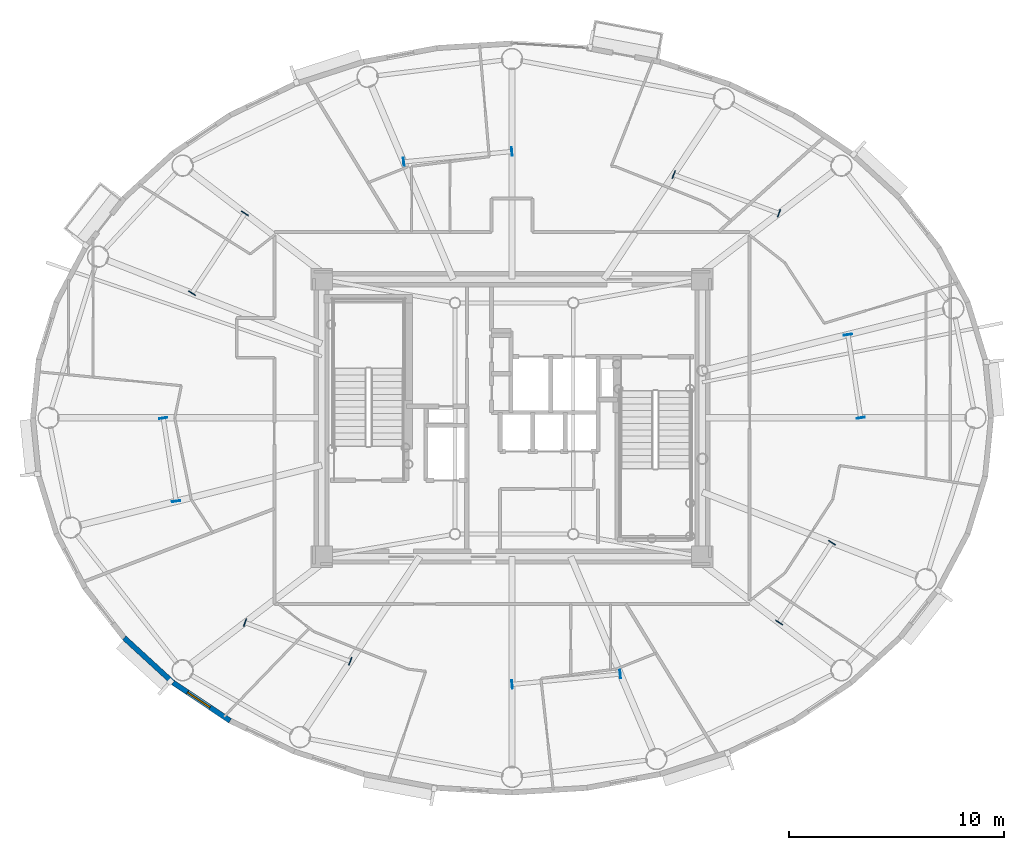
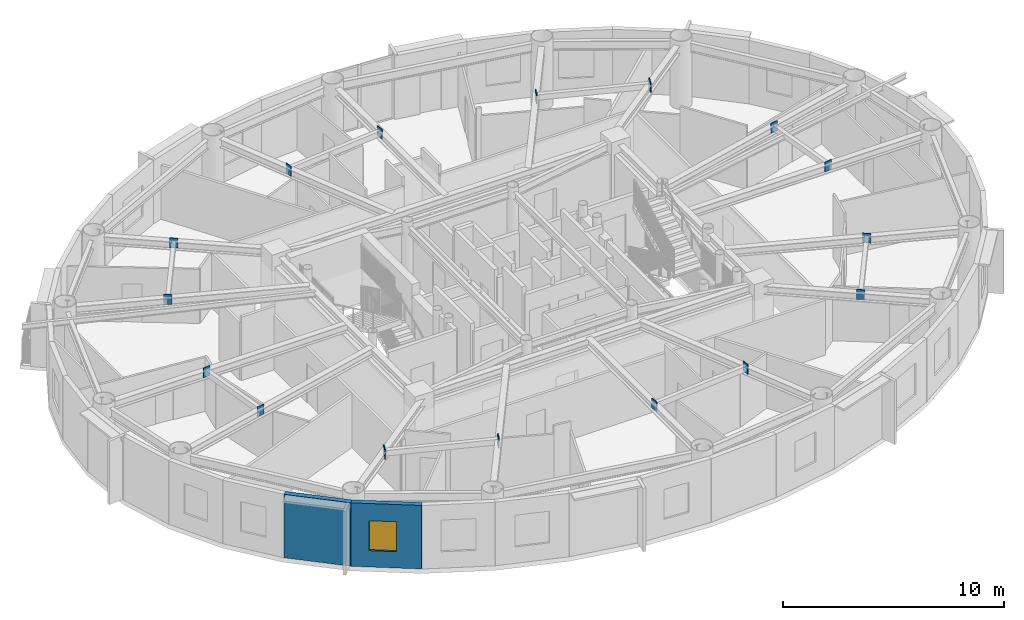
# One storey, part 6 of 18: 16 plates, 2 walls, 1 window, 1 opening.
"""IFC4 building model written with IfcOpenShell, lengths in metres."""

from ifc_helpers import new_model, si_unit, direction, frame, frame_2d, origin, origin_2d, place, context, subcontext, project, spatial, rectangle, extrude, source, transform, mapped, material, layer, layer_set, type_object, element, fill, save


model = new_model("IFC4")

# Units and contexts
model_context = context("Model", 3, precision=1e-05, world=origin(), true_north=direction((0.0, 1.0)))
body_context = subcontext(model_context, "Body", "Model", "MODEL_VIEW")
ifc_project = project(units=[si_unit("LENGTHUNIT", "METRE"), si_unit("AREAUNIT", "SQUARE_METRE"), si_unit("VOLUMEUNIT", "CUBIC_METRE"), si_unit("PLANEANGLEUNIT", "RADIAN"), si_unit("MASSUNIT", "GRAM", prefix="KILO")], contexts=[model_context])

# Site, building, storey
site_placement = place(None, origin())
site = spatial("IfcSite", under=ifc_project, at=site_placement, CompositionType="ELEMENT")
building_placement = place(site_placement, origin())
building = spatial("IfcBuilding", under=site, at=building_placement, Name="Linh Dai School and Residence Tower", CompositionType="ELEMENT")
storey_placement = place(building_placement, frame((0.0, 0.0, 291.75)))
storey = spatial("IfcBuildingStorey", under=building, at=storey_placement, Name="L72", CompositionType="ELEMENT", Elevation=291.75)

# Plates
ifc_material_1 = material(Name="Structural Steel S355JR", Category="steel")
ifc_layer_1 = layer(ifc_material_1, 0.0400390625)
ifc_layer_set_1 = layer_set([ifc_layer_1], Name="Structural Steel S355JR")
plate_type = type_object("IfcPlateType", Name="PLT-GP1", PredefinedType="USERDEFINED", material=ifc_layer_set_1)
shared_shape_1 = source(origin(), body_context, "Body", "SweptSolid", [
    extrude(rectangle(XDim=0.0400390625, YDim=0.3798828125, at=origin_2d()), origin(), (0.0, 0.0, 1.0), 0.5400390625),
])
for number, where, z_axis, x_axis, name in (
    (1, (52.21533203125, 27.0048828125, 3.080078125), (0.0, 0.0, 1.0), (-0.152473707763, 0.988307527261, 0.0), "L72 Secondary Beam End Plate 01A"),
    (2, (51.61865234375, 30.87255859375, 3.080078125), (0.0, 0.0, 1.0), (-0.152473707763, 0.988307527261, 0.0), "L72 Secondary Beam End Plate 01B"),
    (3, (48.4140625, 36.51611328125, 3.080078125), (0.0, 0.0, 1.0), (-0.938695431921, 0.34474756865, 0.0), "L72 Secondary Beam End Plate 02A"),
    (4, (43.519287109375, 38.313720703125, 3.080078125), (0.0, 0.0, 1.0), (-0.938695431921, 0.34474756865, 0.0), "L72 Secondary Beam End Plate 02B"),
    (5, (35.9951171875, 39.388671875, 3.080078125), (0.0, 0.0, 1.0), (-0.995444959349, -0.095337992991, 0.0), "L72 Secondary Beam End Plate 03A"),
    (6, (30.965087890625, 38.906982421875, 3.080078125), (0.0, 0.0, 1.0), (-0.995444959349, -0.095337992991, 0.0), "L72 Secondary Beam End Plate 03B"),
    (7, (23.57861328125, 36.51025390625, 3.080078125), (0.0, 0.0, 1.0), (-0.552122484469, -0.833763013178, 0.0), "L72 Secondary Beam End Plate 04A"),
    (8, (21.123046875, 32.80224609375, 3.080078125), (0.0, 0.0, 1.0), (-0.552122484469, -0.833763013178, 0.0), "L72 Secondary Beam End Plate 04B"),
    (9, (19.78466796875, 26.9951171875, 3.080078125), (0.0, 0.0, 1.0), (0.152473707763, -0.988307527261, 0.0), "L72 Secondary Beam End Plate 05A"),
    (10, (20.38134765625, 23.12744140625, 3.080078125), (0.0, 0.0, 1.0), (0.152473707763, -0.988307527261, 0.0), "L72 Secondary Beam End Plate 05B"),
    (11, (23.5859375, 17.48388671875, 3.080078125), (0.0, 0.0, 1.0), (0.938695431921, -0.34474756865, 0.0), "L72 Secondary Beam End Plate 06A"),
    (12, (28.480712890625, 15.686279296875, 3.080078125), (0.0, 0.0, 1.0), (0.938695431921, -0.34474756865, 0.0), "L72 Secondary Beam End Plate 06B"),
    (13, (36.0048828125, 14.611328125, 3.080078125), (0.0, 0.0, 1.0), (0.995444959349, 0.095337992991, 0.0), "L72 Secondary Beam End Plate 07A"),
    (14, (41.034912109375, 15.093017578125, 3.080078125), (0.0, 0.0, 1.0), (0.995444959349, 0.095337992991, 0.0), "L72 Secondary Beam End Plate 07B"),
    (15, (48.42138671875, 17.48974609375, 3.080078125), (0.0, 0.0, 1.0), (0.552122484469, 0.833763013178, 0.0), "L72 Secondary Beam End Plate 08A"),
    (16, (50.876953125, 21.19775390625, 3.080078125), (0.0, 0.0, 1.0), (0.552122484469, 0.833763013178, 0.0), "L72 Secondary Beam End Plate 08B"),
):
    element("IfcPlate", number, at=place(storey_placement, frame(where, z_axis=z_axis, x_axis=x_axis)), inside=storey, type_object=plate_type, Name=name, ObjectType="GUSSET PLATE", PredefinedType="USERDEFINED", context=body_context, shape_type="MappedRepresentation", body=[
        mapped(shared_shape_1, transform((0.0, 0.0, 0.0), x_axis=(1.0, 0.0, 0.0), y_axis=(0.0, 1.0, 0.0), z_axis=(0.0, 0.0, 1.0), scale=1.0)),
    ])

# Wall
ifc_material_2 = material(Name="Precast Concrete B45 (C35/45)", Category="concrete")
ifc_layer_2 = layer(ifc_material_2, 0.239990234375)
ifc_layer_set_2 = layer_set([ifc_layer_2], Name="Precast Concrete B45 (C35/45)")
wall_type = type_object("IfcWallType", Name="EW-TC-240", PredefinedType="SOLIDWALL", material=ifc_layer_set_2)
wall_1_placement = place(storey_placement, frame((20.23779296875, 14.69580078125, 0.0), z_axis=(0.0, 0.0, 1.0), x_axis=(-0.737068506972, 0.675818034703, 0.0)))
element("IfcWall", 17, at=wall_1_placement, inside=storey, type_object=wall_type, Name="L72 Terracotta Exterior Wall 25", PredefinedType="SOLIDWALL", context=body_context, shape_type="SweptSolid", body=[
    extrude(rectangle(XDim=3.0771484375, YDim=0.239990234375, at=frame_2d((1.53857421875, 0.0))), origin(), (0.0, 0.0, 1.0), 3.5),
])

# Wall, opening, window
wall_2_placement = place(storey_placement, frame((22.8955078125, 12.91845703125, 0.0), z_axis=(0.0, 0.0, 1.0), x_axis=(-0.831250592635, 0.55589787933, 0.0)))
wall_2 = element("IfcWall", 18, at=wall_2_placement, inside=storey, type_object=wall_type, Name="L72 Terracotta Exterior Wall 26", PredefinedType="SOLIDWALL", context=body_context, shape_type="SweptSolid", body=[
    extrude(rectangle(XDim=3.197265625, YDim=0.239990234375, at=frame_2d((1.5986328125, 0.0))), origin(), (0.0, 0.0, 1.0), 3.5),
])
opening_placement = place(wall_2_placement, frame((1.12890625, 0.0, 0.89990234375)))
opening = element("IfcOpeningElement", 19, at=opening_placement, cuts=wall_2, Name="Opening W3", PredefinedType="OPENING", context=body_context, shape_type="SweptSolid", body=[
    extrude(rectangle(XDim=1.25, YDim=1.64990234375, at=origin_2d()), frame((0.625, 0.1298828125, 0.824951171875), z_axis=(0.0, -1.0, 0.0), x_axis=(1.0, 0.0, 0.0)), (0.0, 0.0, 1.0), 0.260009765625),
])
ifc_material_3 = material(Name="Double Low-E Insulated Glazing", Category="glass")
window_type = type_object("IfcWindowType", Name="WN-RES-1250x1650", PartitioningType="SINGLE_PANEL", PredefinedType="WINDOW", material=ifc_material_3)
shared_shape_2 = source(origin(), body_context, "Body", "SweptSolid", [
    extrude(rectangle(XDim=1.25, YDim=1.64990234375, at=origin_2d()), frame((0.625, 0.030029296875, 0.824951171875), z_axis=(0.0, -1.0, 0.0), x_axis=(1.0, 0.0, 0.0)), (0.0, 0.0, 1.0), 0.06005859375),
])
window_placement = place(opening_placement, origin())
window = element("IfcWindow", 20, at=window_placement, inside=storey, type_object=window_type, Name="L72 Exterior Window 26.1", OverallHeight=1.64990234375, OverallWidth=1.25, PartitioningType="SINGLE_PANEL", PredefinedType="WINDOW", context=body_context, shape_type="MappedRepresentation", body=[
    mapped(shared_shape_2, transform((0.0, 0.0, 0.0), x_axis=(1.0, 0.0, 0.0), y_axis=(0.0, 1.0, 0.0), z_axis=(0.0, 0.0, 1.0), scale=1.0)),
])
fill(opening, window)

save(model, "model.ifc")
